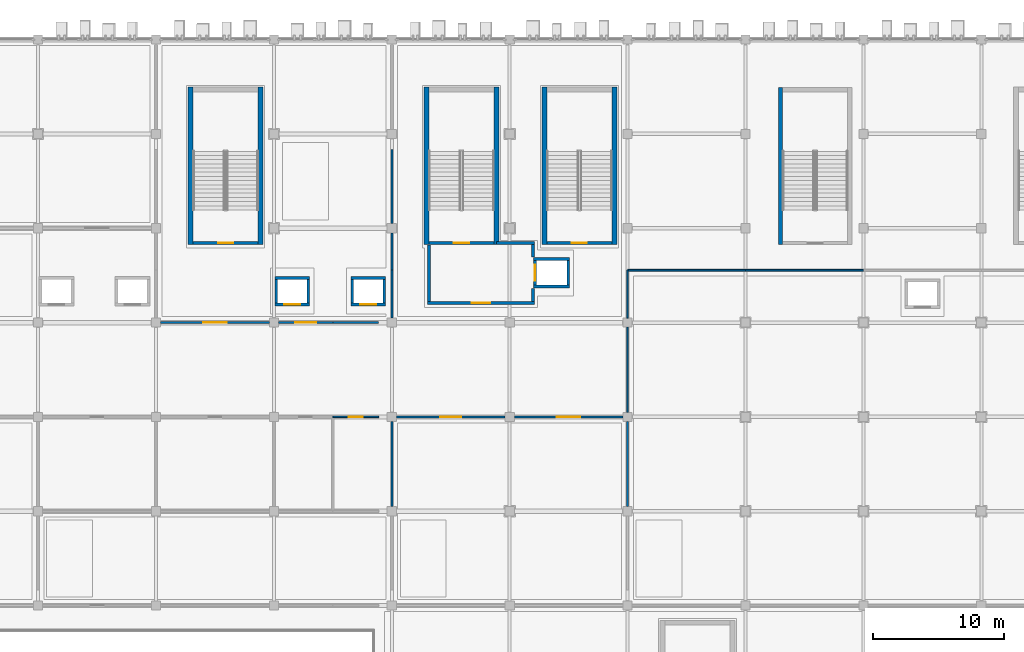
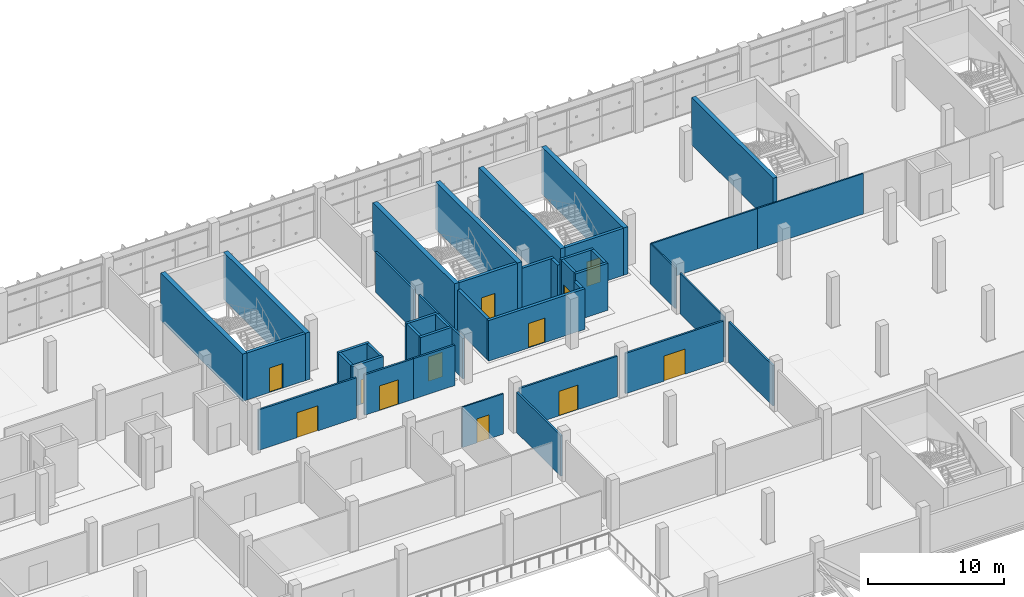
# One storey, part 117 of 151: 42 walls, 12 doors, 12 openings.
"""IFC4 building model written with IfcOpenShell, lengths in metres."""

from ifc_helpers import new_model, si_unit, direction, frame, frame_2d, origin, place, context, subcontext, project, spatial, rectangle, extrude, material, layer, layer_set, type_object, element, fill, save


model = new_model("IFC4")

# Units and contexts
model_context = context("Model", 3, precision=1e-05, world=origin(), true_north=direction((0.0, 1.0)))
body_context = subcontext(model_context, "Body", "Model", "MODEL_VIEW")
ifc_project = project(units=[si_unit("LENGTHUNIT", "METRE"), si_unit("AREAUNIT", "SQUARE_METRE"), si_unit("VOLUMEUNIT", "CUBIC_METRE"), si_unit("PLANEANGLEUNIT", "RADIAN"), si_unit("MASSUNIT", "GRAM", prefix="KILO")], contexts=[model_context])

# Site, building, storey
site_placement = place(None, origin())
site = spatial("IfcSite", under=ifc_project, at=site_placement, CompositionType="ELEMENT")
building_placement = place(site_placement, origin())
building = spatial("IfcBuilding", under=site, at=building_placement, Name="Celestram Park Convention Centre", CompositionType="ELEMENT")
storey_placement = place(building_placement, frame((0.0, 0.0, 10.800048828125)))
storey = spatial("IfcBuildingStorey", under=building, at=storey_placement, Name="L02", CompositionType="ELEMENT", Elevation=10.800048828125)

# Wall, opening, door
ifc_material_1 = material(Name="Concrete Block Masonry C25/30", Category="masonry")
ifc_layer_1 = layer(ifc_material_1, 0.25)
ifc_layer_set_1 = layer_set([ifc_layer_1], Name="Concrete Block Masonry C25/30")
wall_type_1 = type_object("IfcWallType", Name="ARC-WL-COR250", PredefinedType="STANDARD", material=ifc_layer_set_1)
wall_1_placement = place(storey_placement, frame((83.840087890625, 150.074951171875, 0.0), z_axis=(0.0, 0.0, 1.0), x_axis=(1.0, 0.0, 0.0)))
wall_1 = element("IfcWall", 1, at=wall_1_placement, inside=storey, type_object=wall_type_1, Name="Core C2 stair entrance wall", PredefinedType="STANDARD", context=body_context, shape_type="SweptSolid", body=[
    extrude(rectangle(XDim=4.9599609375, YDim=0.25, at=frame_2d((2.47998046875, 0.0))), origin(), (0.0, 0.0, 1.0), 4.219970703125),
])
opening_1_placement = place(wall_1_placement, frame((1.905029296875, 0.0, 0.0)))
opening_1 = element("IfcOpeningElement", 2, at=opening_1_placement, cuts=wall_1, Name="Opening D-ST1", PredefinedType="OPENING", context=body_context, shape_type="SweptSolid", body=[
    extrude(rectangle(XDim=1.14990234375, YDim=2.199951171875, at=frame_2d((0.574951171875, 1.10009765625))), frame((0.0, 0.135009765625, 0.0), z_axis=(0.0, -1.0, 0.0), x_axis=(1.0, 0.0, 0.0)), (0.0, 0.0, 1.0), 0.27001953125),
])
ifc_material_2 = material(Name="Fire-Rated Hollow Metal Steel ASTM A653", Category="steel")
door_type_1 = type_object("IfcDoorType", Name="ARC-DR-ST115", OperationType="NOTDEFINED", PredefinedType="DOOR", material=ifc_material_2)
door_1_placement = place(opening_1_placement, origin())
door_1 = element("IfcDoor", 3, at=door_1_placement, inside=storey, type_object=door_type_1, Name="Exit stair ST-02 fire door", OperationType="SINGLE_SWING_LEFT", OverallHeight=2.199951171875, OverallWidth=1.14990234375, PredefinedType="DOOR", context=body_context, shape_type="SweptSolid", body=[
    extrude(rectangle(XDim=1.14990234375, YDim=2.199951171875, at=frame_2d((0.574951171875, 1.10009765625))), frame((0.0, 0.02490234375, 0.0), z_axis=(0.0, -1.0, 0.0), x_axis=(1.0, 0.0, 0.0)), (0.0, 0.0, 1.0), 0.050048828125),
])
fill(opening_1, door_1)

wall_2_placement = place(storey_placement, frame((65.840087890625, 150.074951171875, 0.0), z_axis=(0.0, 0.0, 1.0), x_axis=(1.0, 0.0, 0.0)))
wall_2 = element("IfcWall", 4, at=wall_2_placement, inside=storey, type_object=wall_type_1, Name="Core S14 stair entrance wall", PredefinedType="STANDARD", context=body_context, shape_type="SweptSolid", body=[
    extrude(rectangle(XDim=4.9599609375, YDim=0.25, at=frame_2d((2.47998046875, 0.0))), origin(), (0.0, 0.0, 1.0), 4.219970703125),
])
opening_2_placement = place(wall_2_placement, frame((1.905029296875, 0.0, 0.0)))
opening_2 = element("IfcOpeningElement", 5, at=opening_2_placement, cuts=wall_2, Name="Opening D-ST1", PredefinedType="OPENING", context=body_context, shape_type="SweptSolid", body=[
    extrude(rectangle(XDim=1.14990234375, YDim=2.199951171875, at=frame_2d((0.574951171875, 1.10009765625))), frame((0.0, 0.135009765625, 0.0), z_axis=(0.0, -1.0, 0.0), x_axis=(1.0, 0.0, 0.0)), (0.0, 0.0, 1.0), 0.27001953125),
])
door_2_placement = place(opening_2_placement, origin())
door_2 = element("IfcDoor", 6, at=door_2_placement, inside=storey, type_object=door_type_1, Name="Exit stair ST-14 fire door", OperationType="SINGLE_SWING_LEFT", OverallHeight=2.199951171875, OverallWidth=1.14990234375, PredefinedType="DOOR", context=body_context, shape_type="SweptSolid", body=[
    extrude(rectangle(XDim=1.14990234375, YDim=2.199951171875, at=frame_2d((0.574951171875, 1.10009765625))), frame((0.0, 0.02490234375, 0.0), z_axis=(0.0, -1.0, 0.0), x_axis=(1.0, 0.0, 0.0)), (0.0, 0.0, 1.0), 0.050048828125),
])
fill(opening_2, door_2)

wall_3_placement = place(storey_placement, frame((92.840087890625, 150.074951171875, 0.0), z_axis=(0.0, 0.0, 1.0), x_axis=(1.0, 0.0, 0.0)))
wall_3 = element("IfcWall", 7, at=wall_3_placement, inside=storey, type_object=wall_type_1, Name="Core S19 stair entrance wall", PredefinedType="STANDARD", context=body_context, shape_type="SweptSolid", body=[
    extrude(rectangle(XDim=4.9599609375, YDim=0.25, at=frame_2d((2.47998046875, 0.0))), origin(), (0.0, 0.0, 1.0), 4.219970703125),
])
opening_3_placement = place(wall_3_placement, frame((1.905029296875, 0.0, 0.0)))
opening_3 = element("IfcOpeningElement", 8, at=opening_3_placement, cuts=wall_3, Name="Opening D-ST1", PredefinedType="OPENING", context=body_context, shape_type="SweptSolid", body=[
    extrude(rectangle(XDim=1.14990234375, YDim=2.199951171875, at=frame_2d((0.574951171875, 1.10009765625))), frame((0.0, 0.135009765625, 0.0), z_axis=(0.0, -1.0, 0.0), x_axis=(1.0, 0.0, 0.0)), (0.0, 0.0, 1.0), 0.27001953125),
])
door_3_placement = place(opening_3_placement, origin())
door_3 = element("IfcDoor", 9, at=door_3_placement, inside=storey, type_object=door_type_1, Name="Exit stair ST-19 fire door", OperationType="SINGLE_SWING_RIGHT", OverallHeight=2.199951171875, OverallWidth=1.14990234375, PredefinedType="DOOR", context=body_context, shape_type="SweptSolid", body=[
    extrude(rectangle(XDim=1.14990234375, YDim=2.199951171875, at=frame_2d((0.574951171875, 1.10009765625))), frame((0.0, 0.02490234375, 0.0), z_axis=(0.0, -1.0, 0.0), x_axis=(1.0, 0.0, 0.0)), (0.0, 0.0, 1.0), 0.050048828125),
])
fill(opening_3, door_3)

# Wall
wall_4_placement = place(storey_placement, frame((83.840087890625, 149.93994140625, 0.0), z_axis=(0.0, 0.0, 1.0), x_axis=(0.0, -1.0, 0.0)))
element("IfcWall", 10, at=wall_4_placement, inside=storey, type_object=wall_type_1, Name="Firefighting Lift Lobby C2 W wall", PredefinedType="STANDARD", context=body_context, shape_type="SweptSolid", body=[
    extrude(rectangle(XDim=4.31494140625, YDim=0.25, at=frame_2d((2.157470703125, 0.0))), origin(), (0.0, 0.0, 1.0), 3.637939453125),
])

# Wall, opening, door
wall_5_placement = place(storey_placement, frame((83.715087890625, 145.5, 0.0), z_axis=(0.0, 0.0, 1.0), x_axis=(1.0, 0.0, 0.0)))
wall_5 = element("IfcWall", 11, at=wall_5_placement, inside=storey, type_object=wall_type_1, Name="Firefighting Lift Lobby C2 S wall", PredefinedType="STANDARD", context=body_context, shape_type="SweptSolid", body=[
    extrude(rectangle(XDim=8.18994140625, YDim=0.25, at=frame_2d((4.094970703125, 0.0))), origin(), (0.0, 0.0, 1.0), 3.637939453125),
])
opening_4_placement = place(wall_5_placement, frame((3.39501953125, 0.0, 0.0)))
opening_4 = element("IfcOpeningElement", 12, at=opening_4_placement, cuts=wall_5, Name="Opening D-LB1", PredefinedType="OPENING", context=body_context, shape_type="SweptSolid", body=[
    extrude(rectangle(XDim=1.39990234375, YDim=2.199951171875, at=frame_2d((0.699951171875, 1.10009765625))), frame((0.0, 0.135009765625, 0.0), z_axis=(0.0, -1.0, 0.0), x_axis=(1.0, 0.0, 0.0)), (0.0, 0.0, 1.0), 0.27001953125),
])
ifc_material_3 = material(Name="Fire-Rated Glazed Steel Frame", Category="steel")
door_type_2 = type_object("IfcDoorType", Name="ARC-DR-LB140", OperationType="NOTDEFINED", PredefinedType="DOOR", material=ifc_material_3)
door_4_placement = place(opening_4_placement, origin())
door_4 = element("IfcDoor", 13, at=door_4_placement, inside=storey, type_object=door_type_2, Name="Firefighting Lift Lobby C2 fire door", OperationType="SINGLE_SWING_LEFT", OverallHeight=2.199951171875, OverallWidth=1.39990234375, PredefinedType="DOOR", context=body_context, shape_type="SweptSolid", body=[
    extrude(rectangle(XDim=1.39990234375, YDim=2.199951171875, at=frame_2d((0.699951171875, 1.10009765625))), frame((0.0, 0.02490234375, 0.0), z_axis=(0.0, -1.0, 0.0), x_axis=(1.0, 0.0, 0.0)), (0.0, 0.0, 1.0), 0.050048828125),
])
fill(opening_4, door_4)

# Walls
wall_6_placement = place(storey_placement, frame((91.780029296875, 145.625, 0.0), z_axis=(0.0, 0.0, 1.0), x_axis=(0.0, 1.0, 0.0)))
element("IfcWall", 14, at=wall_6_placement, inside=storey, type_object=wall_type_1, Name="Firefighting Lift Lobby C2 ES wall", PredefinedType="STANDARD", context=body_context, shape_type="SweptSolid", body=[
    extrude(rectangle(XDim=0.97509765625, YDim=0.25, at=frame_2d((0.487548828125, 0.0))), origin(), (0.0, 0.0, 1.0), 3.637939453125),
])
wall_7_placement = place(storey_placement, frame((91.780029296875, 149.0, 0.0), z_axis=(0.0, 0.0, 1.0), x_axis=(0.0, 1.0, 0.0)))
element("IfcWall", 15, at=wall_7_placement, inside=storey, type_object=wall_type_1, Name="Firefighting Lift Lobby C2 EN wall", PredefinedType="STANDARD", context=body_context, shape_type="SweptSolid", body=[
    extrude(rectangle(XDim=0.949951171875, YDim=0.25, at=frame_2d((0.47509765625, 0.0))), origin(), (0.0, 0.0, 1.0), 3.637939453125),
])
wall_8_placement = place(storey_placement, frame((89.0, 150.074951171875, 0.0), z_axis=(0.0, 0.0, 1.0), x_axis=(1.0, 0.0, 0.0)))
element("IfcWall", 16, at=wall_8_placement, inside=storey, type_object=wall_type_1, Name="Firefighting Lift Lobby C2 N wall", PredefinedType="STANDARD", context=body_context, shape_type="SweptSolid", body=[
    extrude(rectangle(XDim=2.905029296875, YDim=0.25, at=frame_2d((1.45263671875, 0.0))), origin(), (0.0, 0.0, 1.0), 3.637939453125),
])

# Wall, opening, door
ifc_material_4 = material(Name="Standard Gypsum & Steel Stud 120 mm", Category="steel")
ifc_layer_2 = layer(ifc_material_4, 0.1201171875)
ifc_layer_set_2 = layer_set([ifc_layer_2], Name="Standard Gypsum & Steel Stud 120 mm")
wall_type_2 = type_object("IfcWallType", Name="ARC-WL-PRT120", PredefinedType="PARTITIONING", material=ifc_layer_set_2)
wall_9_placement = place(storey_placement, frame((76.5, 136.800048828125, 0.0), z_axis=(0.0, 0.0, 1.0), x_axis=(1.0, 0.0, 0.0)))
wall_9 = element("IfcWall", 17, at=wall_9_placement, inside=storey, type_object=wall_type_2, Name="Interior partition WL-L02-IN0818", PredefinedType="PARTITIONING", context=body_context, shape_type="SweptSolid", body=[
    extrude(rectangle(XDim=3.5, YDim=0.1201171875, at=frame_2d((1.75, 0.0))), origin(), (0.0, 0.0, 1.0), 3.6279296875),
])
opening_5_placement = place(wall_9_placement, frame((1.22509765625, 0.0, 0.0)))
opening_5 = element("IfcOpeningElement", 18, at=opening_5_placement, cuts=wall_9, Name="Opening D-06", PredefinedType="OPENING", context=body_context, shape_type="SweptSolid", body=[
    extrude(rectangle(XDim=1.050048828125, YDim=2.14990234375, at=frame_2d((0.52490234375, 1.074951171875))), frame((0.0, 0.070068359375, 0.0), z_axis=(0.0, -1.0, 0.0), x_axis=(1.0, 0.0, 0.0)), (0.0, 0.0, 1.0), 0.14013671875),
])
ifc_material_5 = material(Name="Solid Core White Oak Single Door", Category="wood")
door_type_3 = type_object("IfcDoorType", Name="ARC-DR-RM105", OperationType="NOTDEFINED", PredefinedType="DOOR", material=ifc_material_5)
door_5_placement = place(opening_5_placement, origin())
door_5 = element("IfcDoor", 19, at=door_5_placement, inside=storey, type_object=door_type_3, Name="Wellness & Nursing Suite L02 entrance door", OperationType="SINGLE_SWING_LEFT", OverallHeight=2.14990234375, OverallWidth=1.050048828125, PredefinedType="DOOR", context=body_context, shape_type="SweptSolid", body=[
    extrude(rectangle(XDim=1.050048828125, YDim=2.14990234375, at=frame_2d((0.52490234375, 1.074951171875))), frame((0.0, 0.02490234375, 0.0), z_axis=(0.0, -1.0, 0.0), x_axis=(1.0, 0.0, 0.0)), (0.0, 0.0, 1.0), 0.050048828125),
])
fill(opening_5, door_5)

# Walls
for number, where, z_axis, x_axis, name in (
    (20, (99.0, 148.0, 0.0), (0.0, 0.0, 1.0), (1.0, 0.0, 0.0), "Interior partition WL-L02-IN0825"),
    (21, (108.0, 148.0, 0.0), (0.0, 0.0, 1.0), (1.0, 0.0, 0.0), "Interior partition WL-L02-IN0826"),
):
    element("IfcWall", number, at=place(storey_placement, frame(where, z_axis=z_axis, x_axis=x_axis)), inside=storey, type_object=wall_type_2, Name=name, PredefinedType="PARTITIONING", context=body_context, shape_type="SweptSolid", body=[
        extrude(rectangle(XDim=9.0, YDim=0.1201171875, at=frame_2d((4.5, 0.0))), origin(), (0.0, 0.0, 1.0), 3.637939453125),
    ])
wall_10_placement = place(storey_placement, frame((99.0, 137.14794921875, 0.0), z_axis=(0.0, 0.0, 1.0), x_axis=(0.0, 1.0, 0.0)))
element("IfcWall", 22, at=wall_10_placement, inside=storey, type_object=wall_type_2, Name="Interior partition WL-L02-IN0850", PredefinedType="PARTITIONING", context=body_context, shape_type="SweptSolid", body=[
    extrude(rectangle(XDim=6.504150390625, YDim=0.1201171875, at=frame_2d((3.251953125, 0.0))), origin(), (0.0, 0.0, 1.0), 3.6279296875),
])
wall_11_placement = place(storey_placement, frame((99.0, 144.347900390625, 0.0), z_axis=(0.0, 0.0, 1.0), x_axis=(0.0, 1.0, 0.0)))
element("IfcWall", 23, at=wall_11_placement, inside=storey, type_object=wall_type_2, Name="Interior partition WL-L02-IN0851", PredefinedType="PARTITIONING", context=body_context, shape_type="SweptSolid", body=[
    extrude(rectangle(XDim=3.652099609375, YDim=0.1201171875, at=frame_2d((1.826171875, 0.0))), origin(), (0.0, 0.0, 1.0), 3.6279296875),
])

# Wall, opening, door
ifc_material_6 = material(Name="Acoustic Gypsum & Steel Stud 160 mm", Category="steel")
ifc_layer_3 = layer(ifc_material_6, 0.159912109375)
ifc_layer_set_3 = layer_set([ifc_layer_3], Name="Acoustic Gypsum & Steel Stud 160 mm")
wall_type_3 = type_object("IfcWallType", Name="ARC-WL-PRT160", PredefinedType="PARTITIONING", material=ifc_layer_set_3)
wall_12_placement = place(storey_placement, frame((81.347900390625, 136.800048828125, 0.0), z_axis=(0.0, 0.0, 1.0), x_axis=(1.0, 0.0, 0.0)))
wall_12 = element("IfcWall", 24, at=wall_12_placement, inside=storey, type_object=wall_type_3, Name="Interior partition WL-L02-IN0819", PredefinedType="PARTITIONING", context=body_context, shape_type="SweptSolid", body=[
    extrude(rectangle(XDim=8.30419921875, YDim=0.159912109375, at=frame_2d((4.152099609375, 0.0))), origin(), (0.0, 0.0, 1.0), 3.6279296875),
])
opening_6_placement = place(wall_12_placement, frame((3.35205078125, 0.0, 0.0)))
opening_6 = element("IfcOpeningElement", 25, at=opening_6_placement, cuts=wall_12, Name="Opening D-05", PredefinedType="OPENING", context=body_context, shape_type="SweptSolid", body=[
    extrude(rectangle(XDim=1.60009765625, YDim=2.199951171875, at=frame_2d((0.800048828125, 1.10009765625))), frame((0.0, 0.08984375, 0.0), z_axis=(0.0, -1.0, 0.0), x_axis=(1.0, 0.0, 0.0)), (0.0, 0.0, 1.0), 0.179931640625),
])
ifc_material_7 = material(Name="Solid White Oak Double Door", Category="wood")
door_type_4 = type_object("IfcDoorType", Name="ARC-DR-MTG160", OperationType="NOTDEFINED", PredefinedType="DOOR", material=ifc_material_7)
door_6_placement = place(opening_6_placement, origin())
door_6 = element("IfcDoor", 26, at=door_6_placement, inside=storey, type_object=door_type_4, Name="Symposium Hall 202 entrance door", OperationType="DOUBLE_DOOR_SINGLE_SWING", OverallHeight=2.199951171875, OverallWidth=1.60009765625, PredefinedType="DOOR", context=body_context, shape_type="SweptSolid", body=[
    extrude(rectangle(XDim=1.60009765625, YDim=2.199951171875, at=frame_2d((0.800048828125, 1.10009765625))), frame((0.0, 0.02490234375, 0.0), z_axis=(0.0, -1.0, 0.0), x_axis=(1.0, 0.0, 0.0)), (0.0, 0.0, 1.0), 0.050048828125),
])
fill(opening_6, door_6)

wall_13_placement = place(storey_placement, frame((90.347900390625, 136.800048828125, 0.0), z_axis=(0.0, 0.0, 1.0), x_axis=(1.0, 0.0, 0.0)))
wall_13 = element("IfcWall", 27, at=wall_13_placement, inside=storey, type_object=wall_type_3, Name="Interior partition WL-L02-IN0820", PredefinedType="PARTITIONING", context=body_context, shape_type="SweptSolid", body=[
    extrude(rectangle(XDim=8.30419921875, YDim=0.159912109375, at=frame_2d((4.152099609375, 0.0))), origin(), (0.0, 0.0, 1.0), 3.6279296875),
])
opening_7_placement = place(wall_13_placement, frame((3.251953125, 0.0, 0.0)))
opening_7 = element("IfcOpeningElement", 28, at=opening_7_placement, cuts=wall_13, Name="Opening D-04", PredefinedType="OPENING", context=body_context, shape_type="SweptSolid", body=[
    extrude(rectangle(XDim=1.800048828125, YDim=2.25, at=frame_2d((0.89990234375, 1.125))), frame((0.0, 0.08984375, 0.0), z_axis=(0.0, -1.0, 0.0), x_axis=(1.0, 0.0, 0.0)), (0.0, 0.0, 1.0), 0.179931640625),
])
ifc_material_8 = material(Name="Solid White Oak Acoustic Double Door", Category="wood")
door_type_5 = type_object("IfcDoorType", Name="ARC-DR-MTG180", OperationType="NOTDEFINED", PredefinedType="DOOR", material=ifc_material_8)
door_7_placement = place(opening_7_placement, origin())
door_7 = element("IfcDoor", 29, at=door_7_placement, inside=storey, type_object=door_type_5, Name="Symposium Hall 202 entrance door", OperationType="DOUBLE_DOOR_SINGLE_SWING", OverallHeight=2.25, OverallWidth=1.800048828125, PredefinedType="DOOR", context=body_context, shape_type="SweptSolid", body=[
    extrude(rectangle(XDim=1.800048828125, YDim=2.25, at=frame_2d((0.89990234375, 1.125))), frame((0.0, 0.02490234375, 0.0), z_axis=(0.0, -1.0, 0.0), x_axis=(1.0, 0.0, 0.0)), (0.0, 0.0, 1.0), 0.050048828125),
])
fill(opening_7, door_7)

wall_14_placement = place(storey_placement, frame((63.347900390625, 144.0, 0.0), z_axis=(0.0, 0.0, 1.0), x_axis=(1.0, 0.0, 0.0)))
wall_14 = element("IfcWall", 30, at=wall_14_placement, inside=storey, type_object=wall_type_3, Name="Interior partition WL-L02-IN0822", PredefinedType="PARTITIONING", context=body_context, shape_type="SweptSolid", body=[
    extrude(rectangle(XDim=8.30419921875, YDim=0.159912109375, at=frame_2d((4.152099609375, 0.0))), origin(), (0.0, 0.0, 1.0), 3.6279296875),
])
opening_8_placement = place(wall_14_placement, frame((3.251953125, 0.0, 0.0)))
opening_8 = element("IfcOpeningElement", 31, at=opening_8_placement, cuts=wall_14, Name="Opening D-04", PredefinedType="OPENING", context=body_context, shape_type="SweptSolid", body=[
    extrude(rectangle(XDim=1.800048828125, YDim=2.25, at=frame_2d((0.89990234375, 1.125))), frame((0.0, 0.08984375, 0.0), z_axis=(0.0, -1.0, 0.0), x_axis=(1.0, 0.0, 0.0)), (0.0, 0.0, 1.0), 0.179931640625),
])
door_8_placement = place(opening_8_placement, origin())
door_8 = element("IfcDoor", 32, at=door_8_placement, inside=storey, type_object=door_type_5, Name="Symposium Hall 203 entrance door", OperationType="DOUBLE_DOOR_SINGLE_SWING", OverallHeight=2.25, OverallWidth=1.800048828125, PredefinedType="DOOR", context=body_context, shape_type="SweptSolid", body=[
    extrude(rectangle(XDim=1.800048828125, YDim=2.25, at=frame_2d((0.89990234375, 1.125))), frame((0.0, 0.02490234375, 0.0), z_axis=(0.0, -1.0, 0.0), x_axis=(1.0, 0.0, 0.0)), (0.0, 0.0, 1.0), 0.050048828125),
])
fill(opening_8, door_8)

wall_15_placement = place(storey_placement, frame((72.347900390625, 144.0, 0.0), z_axis=(0.0, 0.0, 1.0), x_axis=(1.0, 0.0, 0.0)))
wall_15 = element("IfcWall", 33, at=wall_15_placement, inside=storey, type_object=wall_type_3, Name="Interior partition WL-L02-IN0823", PredefinedType="PARTITIONING", context=body_context, shape_type="SweptSolid", body=[
    extrude(rectangle(XDim=4.152099609375, YDim=0.159912109375, at=frame_2d((2.076171875, 0.0))), origin(), (0.0, 0.0, 1.0), 3.6279296875),
])
opening_9_placement = place(wall_15_placement, frame((1.27587890625, 0.0, 0.0)))
opening_9 = element("IfcOpeningElement", 34, at=opening_9_placement, cuts=wall_15, Name="Opening D-05", PredefinedType="OPENING", context=body_context, shape_type="SweptSolid", body=[
    extrude(rectangle(XDim=1.60009765625, YDim=2.199951171875, at=frame_2d((0.800048828125, 1.10009765625))), frame((0.0, 0.08984375, 0.0), z_axis=(0.0, -1.0, 0.0), x_axis=(1.0, 0.0, 0.0)), (0.0, 0.0, 1.0), 0.179931640625),
])
door_9_placement = place(opening_9_placement, origin())
door_9 = element("IfcDoor", 35, at=door_9_placement, inside=storey, type_object=door_type_4, Name="Symposium Hall 203 entrance door", OperationType="DOUBLE_DOOR_SINGLE_SWING", OverallHeight=2.199951171875, OverallWidth=1.60009765625, PredefinedType="DOOR", context=body_context, shape_type="SweptSolid", body=[
    extrude(rectangle(XDim=1.60009765625, YDim=2.199951171875, at=frame_2d((0.800048828125, 1.10009765625))), frame((0.0, 0.02490234375, 0.0), z_axis=(0.0, -1.0, 0.0), x_axis=(1.0, 0.0, 0.0)), (0.0, 0.0, 1.0), 0.050048828125),
])
fill(opening_9, door_9)

# Walls
wall_16_placement = place(storey_placement, frame((76.5, 144.0, 0.0), z_axis=(0.0, 0.0, 1.0), x_axis=(1.0, 0.0, 0.0)))
element("IfcWall", 36, at=wall_16_placement, inside=storey, type_object=wall_type_3, Name="Interior partition WL-L02-IN0824", PredefinedType="PARTITIONING", context=body_context, shape_type="SweptSolid", body=[
    extrude(rectangle(XDim=3.5, YDim=0.159912109375, at=frame_2d((1.75, 0.0))), origin(), (0.0, 0.0, 1.0), 3.6279296875),
])
wall_17_placement = place(storey_placement, frame((81.0, 129.947998046875, 0.0), z_axis=(0.0, 0.0, 1.0), x_axis=(0.0, 1.0, 0.0)))
element("IfcWall", 37, at=wall_17_placement, inside=storey, type_object=wall_type_3, Name="Interior partition WL-L02-IN0843", PredefinedType="PARTITIONING", context=body_context, shape_type="SweptSolid", body=[
    extrude(rectangle(XDim=6.50390625, YDim=0.159912109375, at=frame_2d((3.251953125, 0.0))), origin(), (0.0, 0.0, 1.0), 3.6279296875),
])
wall_18_placement = place(storey_placement, frame((81.0, 144.347900390625, 0.0), z_axis=(0.0, 0.0, 1.0), x_axis=(0.0, 1.0, 0.0)))
element("IfcWall", 38, at=wall_18_placement, inside=storey, type_object=wall_type_3, Name="Interior partition WL-L02-IN0844", PredefinedType="PARTITIONING", context=body_context, shape_type="SweptSolid", body=[
    extrude(rectangle(XDim=3.652099609375, YDim=0.159912109375, at=frame_2d((1.826171875, 0.0))), origin(), (0.0, 0.0, 1.0), 3.6279296875),
])
wall_19_placement = place(storey_placement, frame((81.0, 148.0, 0.0), z_axis=(0.0, 0.0, 1.0), x_axis=(0.0, 1.0, 0.0)))
element("IfcWall", 39, at=wall_19_placement, inside=storey, type_object=wall_type_3, Name="Interior partition WL-L02-IN0845", PredefinedType="PARTITIONING", context=body_context, shape_type="SweptSolid", body=[
    extrude(rectangle(XDim=2.85205078125, YDim=0.159912109375, at=frame_2d((1.426025390625, 0.0))), origin(), (0.0, 0.0, 1.0), 3.6279296875),
])
wall_20_placement = place(storey_placement, frame((81.0, 151.548095703125, 0.0), z_axis=(0.0, 0.0, 1.0), x_axis=(0.0, 1.0, 0.0)))
element("IfcWall", 40, at=wall_20_placement, inside=storey, type_object=wall_type_3, Name="Interior partition WL-L02-IN0846", PredefinedType="PARTITIONING", context=body_context, shape_type="SweptSolid", body=[
    extrude(rectangle(XDim=5.65185546875, YDim=0.159912109375, at=frame_2d((2.825927734375, 0.0))), origin(), (0.0, 0.0, 1.0), 3.6279296875),
])
wall_21_placement = place(storey_placement, frame((99.0, 129.947998046875, 0.0), z_axis=(0.0, 0.0, 1.0), x_axis=(0.0, 1.0, 0.0)))
element("IfcWall", 41, at=wall_21_placement, inside=storey, type_object=wall_type_3, Name="Interior partition WL-L02-IN0849", PredefinedType="PARTITIONING", context=body_context, shape_type="SweptSolid", body=[
    extrude(rectangle(XDim=6.50390625, YDim=0.159912109375, at=frame_2d((3.251953125, 0.0))), origin(), (0.0, 0.0, 1.0), 3.6279296875),
])
ifc_layer_4 = layer(ifc_material_1, 0.219970703125)
ifc_layer_set_4 = layer_set([ifc_layer_4], Name="Concrete Block Masonry C25/30")
wall_type_4 = type_object("IfcWallType", Name="ARC-WL-SHF220", PredefinedType="STANDARD", material=ifc_layer_set_4)
for number, where, z_axis, x_axis, name in (
    (42, (91.820068359375, 146.7548828125, 0.0), (0.0, 0.0, 1.0), (1.0, 0.0, 0.0), "Lift LF-02 shaft wall S"),
    (43, (94.580078125, 148.844970703125, 0.0), (0.0, 0.0, 1.0), (-1.0, 0.0, 0.0), "Lift LF-02 shaft wall N"),
):
    element("IfcWall", number, at=place(storey_placement, frame(where, z_axis=z_axis, x_axis=x_axis)), inside=storey, type_object=wall_type_4, Name=name, PredefinedType="STANDARD", context=body_context, shape_type="SweptSolid", body=[
        extrude(rectangle(XDim=2.760009765625, YDim=0.219970703125, at=frame_2d((1.3798828125, 0.0))), origin(), (0.0, 0.0, 1.0), 4.219970703125),
    ])

# Wall, opening, door
wall_22_placement = place(storey_placement, frame((91.929931640625, 148.735107421875, 0.0), z_axis=(0.0, 0.0, 1.0), x_axis=(0.0, -1.0, 0.0)))
wall_22 = element("IfcWall", 44, at=wall_22_placement, inside=storey, type_object=wall_type_4, Name="Lift LF-02 shaft wall W", PredefinedType="STANDARD", context=body_context, shape_type="SweptSolid", body=[
    extrude(rectangle(XDim=1.8701171875, YDim=0.219970703125, at=frame_2d((0.93505859375, 0.0))), origin(), (0.0, 0.0, 1.0), 4.219970703125),
])
opening_10_placement = place(wall_22_placement, frame((0.3349609375, 0.0, 0.0)))
opening_10 = element("IfcOpeningElement", 45, at=opening_10_placement, cuts=wall_22, Name="Opening LD-01", PredefinedType="OPENING", context=body_context, shape_type="SweptSolid", body=[
    extrude(rectangle(XDim=1.199951171875, YDim=2.199951171875, at=frame_2d((0.60009765625, 1.10009765625))), frame((0.0, 0.119873046875, 0.0), z_axis=(0.0, -1.0, 0.0), x_axis=(1.0, 0.0, 0.0)), (0.0, 0.0, 1.0), 0.239990234375),
])
ifc_material_9 = material(Name="Brushed Stainless Steel AISI 304", Category="steel")
door_type_6 = type_object("IfcDoorType", Name="ARC-DR-LFT120", OperationType="NOTDEFINED", PredefinedType="DOOR", material=ifc_material_9)
door_10_placement = place(opening_10_placement, origin())
door_10 = element("IfcDoor", 46, at=door_10_placement, inside=storey, type_object=door_type_6, Name="Lift LF-02 sliding landing door", OperationType="DOUBLE_DOOR_SLIDING", OverallHeight=2.199951171875, OverallWidth=1.199951171875, PredefinedType="DOOR", context=body_context, shape_type="SweptSolid", body=[
    extrude(rectangle(XDim=1.199951171875, YDim=2.199951171875, at=frame_2d((0.60009765625, 1.10009765625))), frame((0.0, 0.02490234375, 0.0), z_axis=(0.0, -1.0, 0.0), x_axis=(1.0, 0.0, 0.0)), (0.0, 0.0, 1.0), 0.050048828125),
])
fill(opening_10, door_10)

# Wall
wall_23_placement = place(storey_placement, frame((94.469970703125, 146.864990234375, 0.0), z_axis=(0.0, 0.0, 1.0), x_axis=(0.0, 1.0, 0.0)))
element("IfcWall", 47, at=wall_23_placement, inside=storey, type_object=wall_type_4, Name="Lift LF-02 shaft wall E", PredefinedType="STANDARD", context=body_context, shape_type="SweptSolid", body=[
    extrude(rectangle(XDim=1.8701171875, YDim=0.219970703125, at=frame_2d((0.93505859375, 0.0))), origin(), (0.0, 0.0, 1.0), 4.219970703125),
])

# Wall, opening, door
wall_24_placement = place(storey_placement, frame((72.070068359375, 145.3798828125, 0.0), z_axis=(0.0, 0.0, 1.0), x_axis=(1.0, 0.0, 0.0)))
wall_24 = element("IfcWall", 48, at=wall_24_placement, inside=storey, type_object=wall_type_4, Name="Lift LP-03 shaft wall S", PredefinedType="STANDARD", context=body_context, shape_type="SweptSolid", body=[
    extrude(rectangle(XDim=2.659912109375, YDim=0.219970703125, at=frame_2d((1.330078125, 0.0))), origin(), (0.0, 0.0, 1.0), 3.637939453125),
])
opening_11_placement = place(wall_24_placement, frame((0.72998046875, 0.0, 0.0)))
opening_11 = element("IfcOpeningElement", 49, at=opening_11_placement, cuts=wall_24, Name="Opening LD-01", PredefinedType="OPENING", context=body_context, shape_type="SweptSolid", body=[
    extrude(rectangle(XDim=1.199951171875, YDim=2.199951171875, at=frame_2d((0.60009765625, 1.10009765625))), frame((0.0, 0.119873046875, 0.0), z_axis=(0.0, -1.0, 0.0), x_axis=(1.0, 0.0, 0.0)), (0.0, 0.0, 1.0), 0.239990234375),
])
door_11_placement = place(opening_11_placement, origin())
door_11 = element("IfcDoor", 50, at=door_11_placement, inside=storey, type_object=door_type_6, Name="Lift LP-03 sliding landing door", OperationType="DOUBLE_DOOR_SLIDING", OverallHeight=2.199951171875, OverallWidth=1.199951171875, PredefinedType="DOOR", context=body_context, shape_type="SweptSolid", body=[
    extrude(rectangle(XDim=1.199951171875, YDim=2.199951171875, at=frame_2d((0.60009765625, 1.10009765625))), frame((0.0, 0.02490234375, 0.0), z_axis=(0.0, -1.0, 0.0), x_axis=(1.0, 0.0, 0.0)), (0.0, 0.0, 1.0), 0.050048828125),
])
fill(opening_11, door_11)

# Walls
wall_25_placement = place(storey_placement, frame((74.72998046875, 147.419921875, 0.0), z_axis=(0.0, 0.0, 1.0), x_axis=(-1.0, 0.0, 0.0)))
element("IfcWall", 51, at=wall_25_placement, inside=storey, type_object=wall_type_4, Name="Lift LP-03 shaft wall N", PredefinedType="STANDARD", context=body_context, shape_type="SweptSolid", body=[
    extrude(rectangle(XDim=2.659912109375, YDim=0.219970703125, at=frame_2d((1.330078125, 0.0))), origin(), (0.0, 0.0, 1.0), 3.637939453125),
])
for number, where, z_axis, x_axis, name in (
    (52, (72.179931640625, 147.31005859375, 0.0), (0.0, 0.0, 1.0), (0.0, -1.0, 0.0), "Lift LP-03 shaft wall W"),
    (53, (74.6201171875, 145.489990234375, 0.0), (0.0, 0.0, 1.0), (0.0, 1.0, 0.0), "Lift LP-03 shaft wall E"),
):
    element("IfcWall", number, at=place(storey_placement, frame(where, z_axis=z_axis, x_axis=x_axis)), inside=storey, type_object=wall_type_4, Name=name, PredefinedType="STANDARD", context=body_context, shape_type="SweptSolid", body=[
        extrude(rectangle(XDim=1.820068359375, YDim=0.219970703125, at=frame_2d((0.91015625, 0.0))), origin(), (0.0, 0.0, 1.0), 3.637939453125),
    ])

# Wall, opening, door
wall_26_placement = place(storey_placement, frame((77.8701171875, 145.3798828125, 0.0), z_axis=(0.0, 0.0, 1.0), x_axis=(1.0, 0.0, 0.0)))
wall_26 = element("IfcWall", 54, at=wall_26_placement, inside=storey, type_object=wall_type_4, Name="Lift LP-04 shaft wall S", PredefinedType="STANDARD", context=body_context, shape_type="SweptSolid", body=[
    extrude(rectangle(XDim=2.659912109375, YDim=0.219970703125, at=frame_2d((1.330078125, 0.0))), origin(), (0.0, 0.0, 1.0), 4.219970703125),
])
opening_12_placement = place(wall_26_placement, frame((0.72998046875, 0.0, 0.0)))
opening_12 = element("IfcOpeningElement", 55, at=opening_12_placement, cuts=wall_26, Name="Opening LD-01", PredefinedType="OPENING", context=body_context, shape_type="SweptSolid", body=[
    extrude(rectangle(XDim=1.199951171875, YDim=2.199951171875, at=frame_2d((0.60009765625, 1.10009765625))), frame((0.0, 0.119873046875, 0.0), z_axis=(0.0, -1.0, 0.0), x_axis=(1.0, 0.0, 0.0)), (0.0, 0.0, 1.0), 0.239990234375),
])
door_12_placement = place(opening_12_placement, origin())
door_12 = element("IfcDoor", 56, at=door_12_placement, inside=storey, type_object=door_type_6, Name="Lift LP-04 sliding landing door", OperationType="DOUBLE_DOOR_SLIDING", OverallHeight=2.199951171875, OverallWidth=1.199951171875, PredefinedType="DOOR", context=body_context, shape_type="SweptSolid", body=[
    extrude(rectangle(XDim=1.199951171875, YDim=2.199951171875, at=frame_2d((0.60009765625, 1.10009765625))), frame((0.0, 0.02490234375, 0.0), z_axis=(0.0, -1.0, 0.0), x_axis=(1.0, 0.0, 0.0)), (0.0, 0.0, 1.0), 0.050048828125),
])
fill(opening_12, door_12)

# Walls
wall_27_placement = place(storey_placement, frame((80.530029296875, 147.419921875, 0.0), z_axis=(0.0, 0.0, 1.0), x_axis=(-1.0, 0.0, 0.0)))
element("IfcWall", 57, at=wall_27_placement, inside=storey, type_object=wall_type_4, Name="Lift LP-04 shaft wall N", PredefinedType="STANDARD", context=body_context, shape_type="SweptSolid", body=[
    extrude(rectangle(XDim=2.659912109375, YDim=0.219970703125, at=frame_2d((1.330078125, 0.0))), origin(), (0.0, 0.0, 1.0), 4.219970703125),
])
for number, where, z_axis, x_axis, name in (
    (58, (77.97998046875, 147.31005859375, 0.0), (0.0, 0.0, 1.0), (0.0, -1.0, 0.0), "Lift LP-04 shaft wall W"),
    (59, (80.419921875, 145.489990234375, 0.0), (0.0, 0.0, 1.0), (0.0, 1.0, 0.0), "Lift LP-04 shaft wall E"),
):
    element("IfcWall", number, at=place(storey_placement, frame(where, z_axis=z_axis, x_axis=x_axis)), inside=storey, type_object=wall_type_4, Name=name, PredefinedType="STANDARD", context=body_context, shape_type="SweptSolid", body=[
        extrude(rectangle(XDim=1.820068359375, YDim=0.219970703125, at=frame_2d((0.91015625, 0.0))), origin(), (0.0, 0.0, 1.0), 4.219970703125),
    ])
ifc_material_10 = material(Name="Concrete C40/50", Category="concrete")
ifc_layer_5 = layer(ifc_material_10, 0.340087890625)
ifc_layer_set_5 = layer_set([ifc_layer_5], Name="Concrete C40/50")
wall_type_5 = type_object("IfcWallType", Name="STR-WL-SHR340", PredefinedType="SHEAR", material=ifc_layer_set_5)
wall_28_placement = place(storey_placement, frame((110.669921875, 149.949951171875, 0.0), z_axis=(0.0, 0.0, 1.0), x_axis=(0.0, 1.0, 0.0)))
element("IfcWall", 60, at=wall_28_placement, inside=storey, type_object=wall_type_5, Name="Core S16 shear wall L", PredefinedType="SHEAR", context=body_context, shape_type="SweptSolid", body=[
    extrude(rectangle(XDim=11.989990234375, YDim=0.340087890625, at=frame_2d((5.9951171875, 0.0))), origin(), (0.0, 0.0, 1.0), 4.25),
])
ifc_layer_6 = layer(ifc_material_10, 0.3798828125)
ifc_layer_set_6 = layer_set([ifc_layer_6], Name="Concrete C40/50")
wall_type_6 = type_object("IfcWallType", Name="STR-WL-SHR380", PredefinedType="SHEAR", material=ifc_layer_set_6)
for number, where, z_axis, x_axis, name in (
    (61, (83.64990234375, 149.949951171875, 0.0), (0.0, 0.0, 1.0), (0.0, 1.0, 0.0), "Core C2 shear wall L"),
    (62, (88.989990234375, 161.97998046875, 0.0), (0.0, 0.0, 1.0), (0.0, -1.0, 0.0), "Core C2 shear wall R"),
    (63, (65.64990234375, 149.949951171875, 0.0), (0.0, 0.0, 1.0), (0.0, 1.0, 0.0), "Core S14 shear wall L"),
    (64, (70.989990234375, 161.97998046875, 0.0), (0.0, 0.0, 1.0), (0.0, -1.0, 0.0), "Core S14 shear wall R"),
    (65, (92.64990234375, 149.949951171875, 0.0), (0.0, 0.0, 1.0), (0.0, 1.0, 0.0), "Core S19 shear wall L"),
    (66, (97.989990234375, 161.97998046875, 0.0), (0.0, 0.0, 1.0), (0.0, -1.0, 0.0), "Core S19 shear wall R"),
):
    element("IfcWall", number, at=place(storey_placement, frame(where, z_axis=z_axis, x_axis=x_axis)), inside=storey, type_object=wall_type_6, Name=name, PredefinedType="SHEAR", context=body_context, shape_type="SweptSolid", body=[
        extrude(rectangle(XDim=12.030029296875, YDim=0.3798828125, at=frame_2d((6.01513671875, 0.0))), origin(), (0.0, 0.0, 1.0), 4.25),
    ])

save(model, "model.ifc")
